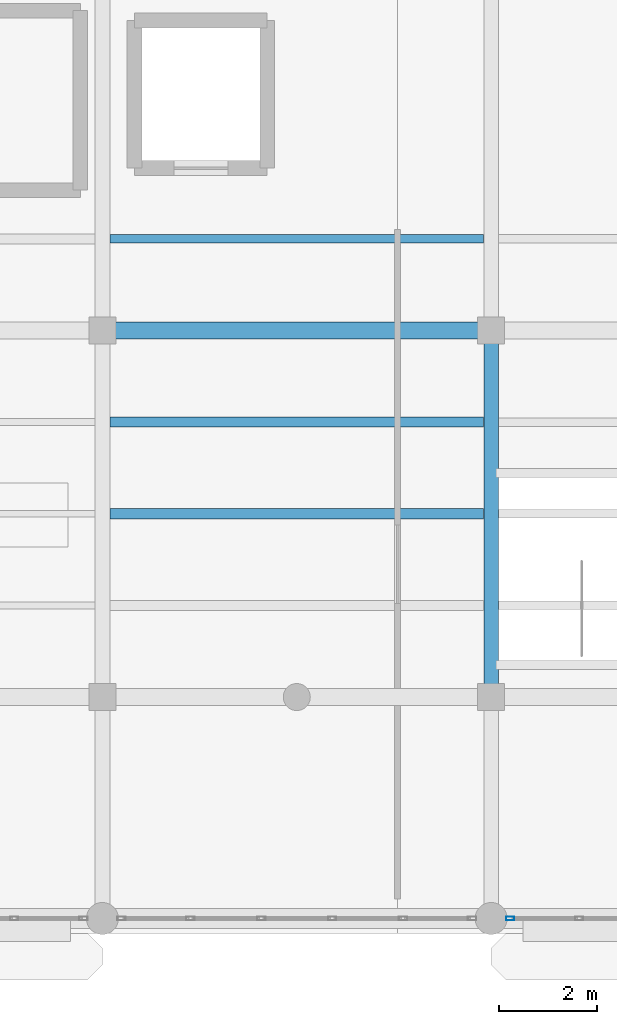
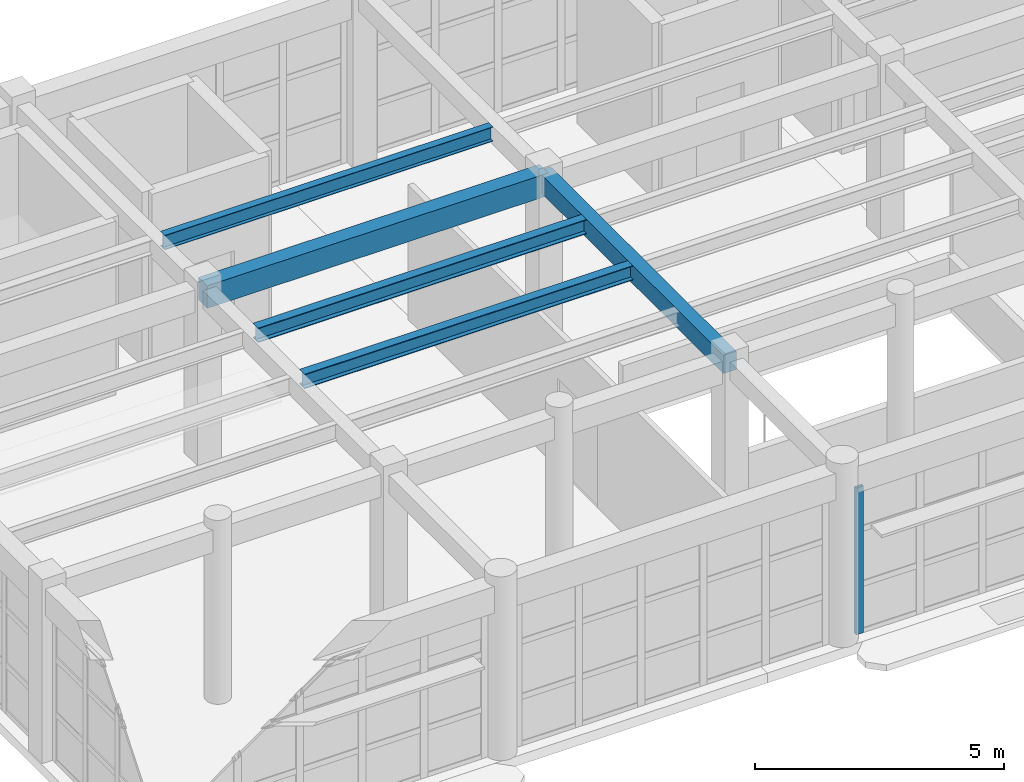
# One storey, part 6 of 85: 5 beams, 1 member, 1 element without a shape of its own.
"""IFC4 building model written with IfcOpenShell, lengths in metres."""

import ifcopenshell
import ifcopenshell.guid

model = None  # the IFC model being written
_history = None  # IfcOwnerHistory: only IFC2X3 demands one
_inside = {}  # id of a spatial element -> (the spatial element, [elements in it])
_under = {}  # id of a project, library or spatial element -> (it, [spatial elements below it])
_declared = {}  # id of a project -> (the project, [libraries it declares])
_typed = {}  # id of a type object -> (the type object, [elements of that type])
_made_of = {}  # id of a material, layer set ... -> (it, [elements and type objects made of it])


def new_model(schema):
    """Start an empty IFC model of exactly this schema.

    Asked for "IFC4X3", IfcOpenShell would pick the latest addendum, in which some entities
    have other attributes; the version numbers below select the first issue.
    IFC2X3 requires an IfcOwnerHistory on every rooted entity: one is made here for all.
    """
    global model, _history
    if schema == "IFC4X3":
        model = ifcopenshell.file(schema_version=(4, 3, 0, 0))
    else:
        model = ifcopenshell.file(schema=schema)
    _inside.clear()
    _under.clear()
    _declared.clear()
    _typed.clear()
    _made_of.clear()
    _history = None
    if model.schema == "IFC2X3":
        org = make("IfcOrganization", Name="unknown")
        user = make(
            "IfcPersonAndOrganization",
            ThePerson=make("IfcPerson", FamilyName="unknown"),
            TheOrganization=org,
        )
        app = make(
            "IfcApplication",
            ApplicationDeveloper=org,
            Version="unknown",
            ApplicationFullName="unknown",
            ApplicationIdentifier="unknown",
        )
        _history = make(
            "IfcOwnerHistory",
            OwningUser=user,
            OwningApplication=app,
            ChangeAction="ADDED",
            CreationDate=0,
        )
    return model


def make(cls, **values):
    """One entity of the class cls with the attributes given. An attribute that is None is left unset."""
    return model.create_entity(
        cls, **{name: value for name, value in values.items() if value is not None}
    )


def rooted(cls, **values):
    """An entity with a GlobalId (a new one), such as an element, a storey or a relation."""
    return make(cls, GlobalId=ifcopenshell.guid.new(), OwnerHistory=_history, **values)


def si_unit(unit_type, name, prefix=None):
    """IfcSIUnit, for example si_unit("LENGTHUNIT", "METRE", prefix="MILLI")."""
    return make("IfcSIUnit", UnitType=unit_type, Prefix=prefix, Name=name)


def assignment(units):
    """IfcUnitAssignment: the units of a project."""
    return None if units is None else make("IfcUnitAssignment", Units=units)


def point(xyz):
    """IfcCartesianPoint."""
    return None if xyz is None else make("IfcCartesianPoint", Coordinates=xyz)


def direction(xyz):
    """IfcDirection."""
    return None if xyz is None else make("IfcDirection", DirectionRatios=xyz)


def frame(location, z_axis=None, x_axis=None):
    """IfcAxis2Placement3D, a coordinate frame: its origin and axes. An axis left out is left unset."""
    return make(
        "IfcAxis2Placement3D",
        Location=point(location),
        Axis=direction(z_axis),
        RefDirection=direction(x_axis),
    )


def frame_2d(location, x_axis=None):
    """IfcAxis2Placement2D, a coordinate frame in the plane: its origin and x axis."""
    return make(
        "IfcAxis2Placement2D", Location=point(location), RefDirection=direction(x_axis)
    )


def origin():
    """The frame at (0, 0, 0) with its axes left unset."""
    return frame((0.0, 0.0, 0.0))


def origin_2d():
    """The frame at (0, 0) in the plane with its x axis left unset."""
    return frame_2d((0.0, 0.0))


def place(relative_to, where):
    """IfcLocalPlacement: puts the frame where relative to a parent placement (None: the world)."""
    return make(
        "IfcLocalPlacement", PlacementRelTo=relative_to, RelativePlacement=where
    )


def context(
    kind, dimensions, precision=None, world=None, true_north=None, identifier=None
):
    """IfcGeometricRepresentationContext, for example the 3D "Model" context."""
    return make(
        "IfcGeometricRepresentationContext",
        ContextIdentifier=identifier,
        ContextType=kind,
        CoordinateSpaceDimension=dimensions,
        Precision=precision,
        WorldCoordinateSystem=world,
        TrueNorth=true_north,
    )


def subcontext(parent, identifier, kind, view, scale=None):
    """IfcGeometricRepresentationSubContext, for example "Body" below "Model"."""
    return make(
        "IfcGeometricRepresentationSubContext",
        ContextIdentifier=identifier,
        ContextType=kind,
        ParentContext=parent,
        TargetScale=scale,
        TargetView=view,
    )


def project(units=None, contexts=None):
    """IfcProject with its units and contexts."""
    return rooted(
        "IfcProject",
        Name="project",
        RepresentationContexts=contexts,
        UnitsInContext=assignment(units),
    )


def spatial(cls, under=None, at=None, **own):
    """A site, building, storey or space (cls), placed at a placement, below another one or the project."""
    s = rooted(cls, ObjectPlacement=at, **own)
    if under is not None:
        _under.setdefault(under.id(), (under, []))[1].append(s)
    return s


def profile(cls, at=None, kind="AREA", **sizes):
    """A parametric profile (cls). Its sizes go by their IFC names, for example OverallWidth=200.0."""
    return make(cls, ProfileType=kind, Position=at, **sizes)


def rectangle(**sizes):
    """IfcRectangleProfileDef."""
    return profile("IfcRectangleProfileDef", **sizes)


def hollow_rectangle(**sizes):
    """IfcRectangleHollowProfileDef."""
    return profile("IfcRectangleHollowProfileDef", **sizes)


def i_section(**sizes):
    """IfcIShapeProfileDef."""
    return profile("IfcIShapeProfileDef", **sizes)


def extrude(swept, where, along, depth):
    """IfcExtrudedAreaSolid: the profile swept, set in the frame where, extruded along a direction by depth."""
    return make(
        "IfcExtrudedAreaSolid",
        SweptArea=swept,
        Position=where,
        ExtrudedDirection=direction(along),
        Depth=depth,
    )


def shape(context_of_items, identifier, shape_type, items):
    """IfcShapeRepresentation: the items that make up one representation, for example the "Body"."""
    return make(
        "IfcShapeRepresentation",
        ContextOfItems=context_of_items,
        RepresentationIdentifier=identifier,
        RepresentationType=shape_type,
        Items=items,
    )


def material(Name=None, Category=None):
    """IfcMaterial."""
    return make("IfcMaterial", Name=Name, Category=Category)


def layer(
    of_material, thickness, ventilated=None, Name=None, Category=None, Priority=None
):
    """IfcMaterialLayer: one layer of a wall or slab, of a material (None: an air gap)."""
    return make(
        "IfcMaterialLayer",
        Material=of_material,
        LayerThickness=thickness,
        IsVentilated=ventilated,
        Name=Name,
        Category=Category,
        Priority=Priority,
    )


def layer_set(layers, Name=None):
    """IfcMaterialLayerSet."""
    return make("IfcMaterialLayerSet", MaterialLayers=layers, LayerSetName=Name)


def material_profile(
    of_material, cross_section, Name=None, Category=None, Priority=None
):
    """IfcMaterialProfile: a cross section and its material."""
    return make(
        "IfcMaterialProfile",
        Name=Name,
        Material=of_material,
        Profile=cross_section,
        Priority=Priority,
        Category=Category,
    )


def profile_set(profiles, Name=None, composite=None):
    """IfcMaterialProfileSet."""
    return make(
        "IfcMaterialProfileSet",
        Name=Name,
        MaterialProfiles=profiles,
        CompositeProfile=composite,
    )


def made_of(thing, what):
    """Note that an element or type object is made of a material, layer set ...; save() writes the relation."""
    if what is not None:
        _made_of.setdefault(what.id(), (what, []))[1].append(thing)
    return thing


def type_object(cls, material=None, **own):
    """A type object (cls), such as IfcWallType, which elements share."""
    return made_of(rooted(cls, **own), material)


def element(
    cls,
    number,
    at=None,
    inside=None,
    cuts=None,
    type_object=None,
    material=None,
    context=None,
    identifier="Body",
    shape_type=None,
    held_by="IfcProductDefinitionShape",
    body=None,
    shapes=None,
    **own,
):
    """One element of the class cls, such as IfcWall. Its Tag is "e" and its number.

    at: its placement. inside: the storey or other place that contains it. cuts: it is an
    opening in that element (IfcRelVoidsElement). A single representation is given by context,
    identifier, shape_type and body (its items); several are given by shapes. held_by: the class
    of the entity that holds the representations. save() writes the other relations.
    """
    e = rooted(cls, Tag="e%d" % number, ObjectPlacement=at, **own)
    if body is not None:
        shapes = [shape(context, identifier, shape_type, body)]
    if shapes is not None:
        e.Representation = make(held_by, Representations=shapes)
    if inside is not None:
        _inside.setdefault(inside.id(), (inside, []))[1].append(e)
    if cuts is not None:
        rooted(
            "IfcRelVoidsElement", RelatingBuildingElement=cuts, RelatedOpeningElement=e
        )
    if type_object is not None:
        _typed.setdefault(type_object.id(), (type_object, []))[1].append(e)
    return made_of(e, material)


def aggregate(whole, parts):
    """IfcRelAggregates: a whole, such as a stair, and the parts it consists of."""
    return rooted("IfcRelAggregates", RelatingObject=whole, RelatedObjects=parts)


def save(model, path):
    """Write the relations noted so far, then the file.

    IfcRelAggregates (storeys below a building ...), IfcRelContainedInSpatialStructure (elements
    in a storey), IfcRelDefinesByType, IfcRelAssociatesMaterial and IfcRelDeclares: one each for
    every whole, place, type object, material and project.
    """
    for whole, parts in _under.values():
        aggregate(whole, parts)
    for where, things in _inside.values():
        rooted(
            "IfcRelContainedInSpatialStructure",
            RelatedElements=things,
            RelatingStructure=where,
        )
    for kind, things in _typed.values():
        rooted("IfcRelDefinesByType", RelatedObjects=things, RelatingType=kind)
    for what, things in _made_of.values():
        rooted("IfcRelAssociatesMaterial", RelatedObjects=things, RelatingMaterial=what)
    for by, libraries in _declared.values():
        rooted("IfcRelDeclares", RelatingContext=by, RelatedDefinitions=libraries)
    model.write(path)


model = new_model("IFC4")

# Units and contexts
model_context = context("Model", 3, precision=1e-05, world=origin(), true_north=direction((0.0, 1.0)))
body_context = subcontext(model_context, "Body", "Model", "MODEL_VIEW")
ifc_project = project(units=[si_unit("LENGTHUNIT", "METRE"), si_unit("AREAUNIT", "SQUARE_METRE"), si_unit("VOLUMEUNIT", "CUBIC_METRE"), si_unit("PLANEANGLEUNIT", "RADIAN"), si_unit("MASSUNIT", "GRAM", prefix="KILO")], contexts=[model_context])

# Site, building, storey
site_placement = place(None, origin())
site = spatial("IfcSite", under=ifc_project, at=site_placement, CompositionType="ELEMENT")
building_placement = place(site_placement, origin())
building = spatial("IfcBuilding", under=site, at=building_placement, Name="Candilejo Ridge Gondola Terminal", CompositionType="ELEMENT")
storey_placement = place(building_placement, frame((0.0, 0.0, 4.5)))
storey = spatial("IfcBuildingStorey", under=building, at=storey_placement, Name="L01", CompositionType="ELEMENT", Elevation=4.5)

# Curtain wall, member
ifc_material_1 = material(Name="Anodised aluminium AA 6063-T6", Category="aluminium")
ifc_layer = layer(ifc_material_1, 0.169921875)
ifc_layer_set = layer_set([ifc_layer], Name="ARC-CW-CONCOURSE-3600-720X359")
curtain_wall_type = type_object("IfcCurtainWallType", Name="ARC-CW-CONCOURSE-3600-720X359", PredefinedType="NOTDEFINED", material=ifc_layer_set)
curtain_wall_placement = place(storey_placement, origin())
curtain_wall = element("IfcCurtainWall", 1, at=curtain_wall_placement, inside=storey, type_object=curtain_wall_type, Name="Curtain wall V1 L01-009", PredefinedType="NOTDEFINED")
ifc_material_2 = material(Name="Anodised aluminium AA 6063-T6", Category="aluminium")
ifc_material_profile_1 = material_profile(ifc_material_2, hollow_rectangle(XDim=0.074951171875, YDim=0.169921875, WallThickness=0.00390625, at=origin_2d()))
ifc_profile_set_1 = profile_set([ifc_material_profile_1], Name="Anodised aluminium AA 6063-T6")
member_type = type_object("IfcMemberType", Name="ARC-CW-MULLION", PredefinedType="MULLION", material=ifc_profile_set_1)
member_placement = place(storey_placement, frame((20.487548828125, 6.300048828125, 0.0), z_axis=(0.0, 0.0, 1.0), x_axis=(0.0, 1.0, 0.0)))
member = element("IfcMember", 2, at=member_placement, type_object=member_type, Name="CW-72X35 mullion 1", PredefinedType="MULLION", context=body_context, shape_type="SweptSolid", body=[
    extrude(hollow_rectangle(XDim=0.074951171875, YDim=0.169921875, WallThickness=0.00390625, at=origin_2d()), origin(), (0.0, 0.0, 1.0), 3.590087890625),
])
aggregate(curtain_wall, [member])

# Beams
ifc_material_3 = material(Name="Concrete f'c 35 MPa (C35/45)", Category="concrete")
ifc_material_profile_2 = material_profile(ifc_material_3, rectangle(XDim=0.300048828125, YDim=0.449951171875, at=origin_2d()))
ifc_profile_set_2 = profile_set([ifc_material_profile_2], Name="Concrete f'c 35 MPa (C35/45)")
beam_type_1 = type_object("IfcBeamType", Name="STR-BM-RC300X450", PredefinedType="BEAM", material=ifc_profile_set_2)
beam_1_placement = place(storey_placement, frame((20.10009765625, 10.800048828125, 4.02490234375), z_axis=(0.0, 1.0, 0.0), x_axis=(-1.0, 0.0, 0.0)))
element("IfcBeam", 3, at=beam_1_placement, inside=storey, type_object=beam_type_1, Name="Beam Y V1 L01 Y02-Y03@X03", PredefinedType="BEAM", context=body_context, shape_type="SweptSolid", body=[
    extrude(rectangle(XDim=0.300048828125, YDim=0.449951171875, at=origin_2d()), origin(), (0.0, 0.0, 1.0), 7.449951171875),
])
ifc_material_4 = material(Name="Concrete f'c 35 MPa (C35/45)", Category="concrete")
ifc_material_profile_3 = material_profile(ifc_material_4, rectangle(XDim=0.35009765625, YDim=0.550048828125, at=origin_2d()))
ifc_profile_set_3 = profile_set([ifc_material_profile_3], Name="Concrete f'c 35 MPa (C35/45)")
beam_type_2 = type_object("IfcBeamType", Name="STR-BM-RC350X550", PredefinedType="BEAM", material=ifc_profile_set_3)
beam_2_placement = place(storey_placement, frame((12.199951171875, 18.25, 3.97509765625), z_axis=(1.0, 0.0, 0.0), x_axis=(0.0, 1.0, 0.0)))
element("IfcBeam", 4, at=beam_2_placement, inside=storey, type_object=beam_type_2, Name="Beam X V1 L01 X02-X03@Y03", PredefinedType="BEAM", context=body_context, shape_type="SweptSolid", body=[
    extrude(rectangle(XDim=0.35009765625, YDim=0.550048828125, at=origin_2d()), origin(), (0.0, 0.0, 1.0), 7.900146484375),
])
ifc_material_5 = material(Name="Steel ASTM A992 Grade 50", Category="steel")
ifc_material_profile_4 = material_profile(ifc_material_5, i_section(OverallWidth=0.1708984375, OverallDepth=0.35498046875, WebThickness=0.007080078125, FlangeThickness=0.01171875, at=origin_2d()))
ifc_profile_set_4 = profile_set([ifc_material_profile_4], Name="Steel ASTM A992 Grade 50")
beam_type_3 = type_object("IfcBeamType", Name="STR-JST-W360X51", PredefinedType="JOIST", material=ifc_profile_set_4)
beam_3_placement = place(storey_placement, frame((12.35009765625, 20.112548828125, 4.072509765625), z_axis=(1.0, 0.0, 0.0), x_axis=(0.0, 1.0, 0.0)))
element("IfcBeam", 5, at=beam_3_placement, inside=storey, type_object=beam_type_3, Name="Composite joist V1 L01-0124", PredefinedType="JOIST", context=body_context, shape_type="SweptSolid", body=[
    extrude(i_section(OverallWidth=0.1708984375, OverallDepth=0.35498046875, WebThickness=0.007080078125, FlangeThickness=0.01171875, at=origin_2d()), origin(), (0.0, 0.0, 1.0), 7.599853515625),
])
ifc_material_6 = material(Name="Steel ASTM A992 Grade 50", Category="steel")
ifc_material_profile_5 = material_profile(ifc_material_6, i_section(OverallWidth=0.205078125, OverallDepth=0.35400390625, WebThickness=0.009521484375, FlangeThickness=0.016845703125, at=origin_2d()))
ifc_profile_set_5 = profile_set([ifc_material_profile_5], Name="Steel ASTM A992 Grade 50")
beam_type_4 = type_object("IfcBeamType", Name="STR-JST-W360X79", PredefinedType="JOIST", material=ifc_profile_set_5)
for number, where, z_axis, x_axis, name in (
    (6, (12.35009765625, 14.52490234375, 4.072998046875), (1.0, 0.0, 0.0), (0.0, 1.0, 0.0), "Composite joist V1 L01-0122"),
    (7, (12.35009765625, 16.387451171875, 4.072998046875), (1.0, 0.0, 0.0), (0.0, 1.0, 0.0), "Composite joist V1 L01-0123"),
):
    element("IfcBeam", number, at=place(storey_placement, frame(where, z_axis=z_axis, x_axis=x_axis)), inside=storey, type_object=beam_type_4, Name=name, PredefinedType="JOIST", context=body_context, shape_type="SweptSolid", body=[
        extrude(i_section(OverallWidth=0.205078125, OverallDepth=0.35400390625, WebThickness=0.009521484375, FlangeThickness=0.016845703125, at=origin_2d()), origin(), (0.0, 0.0, 1.0), 7.599853515625),
    ])

save(model, "model.ifc")
